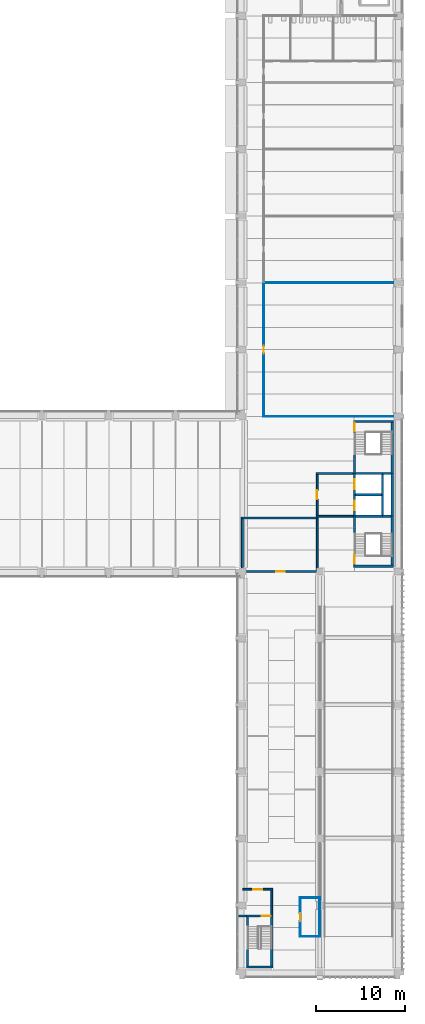
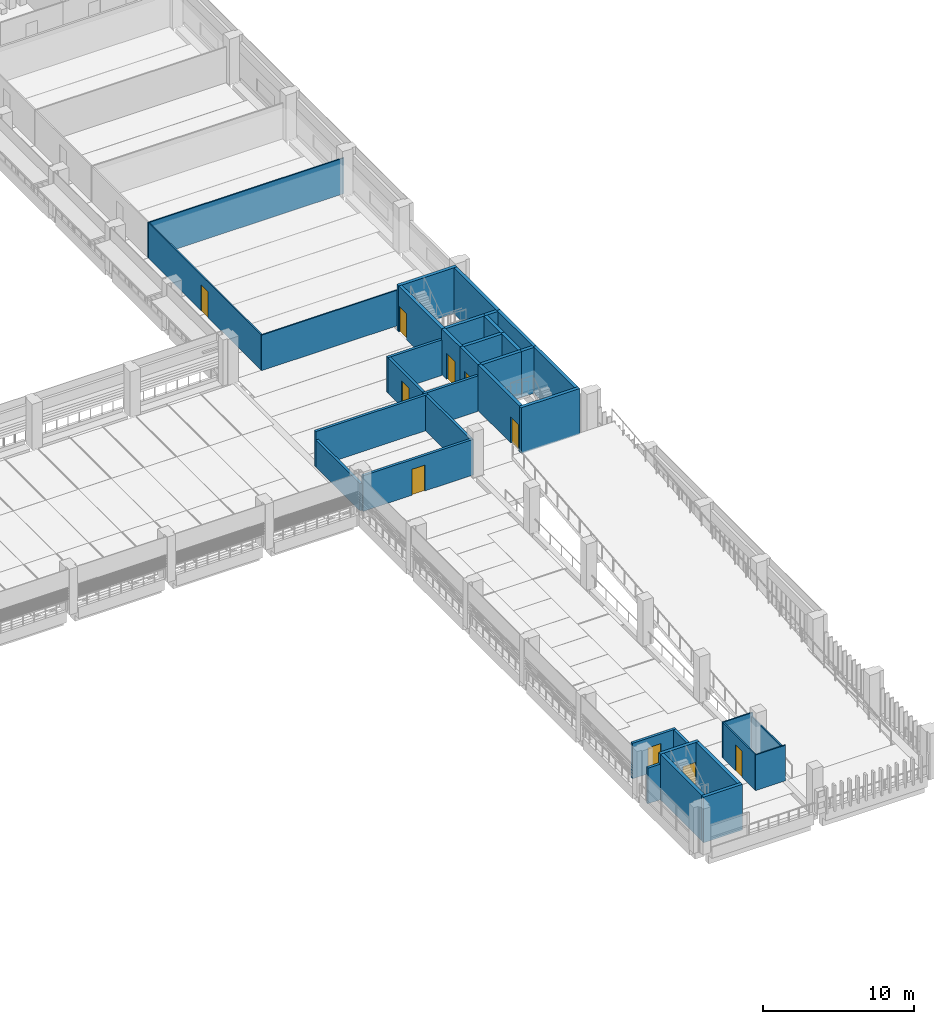
# One storey, part 37 of 61: 37 walls, 10 doors, 10 openings.
"""IFC4 building model written with IfcOpenShell, lengths in metres."""

from ifc_helpers import new_model, si_unit, direction, frame, frame_2d, origin, place, context, subcontext, project, spatial, rectangle, extrude, material, layer, layer_set, type_object, element, fill, save


model = new_model("IFC4")

# Units and contexts
model_context = context("Model", 3, precision=1e-05, world=origin(), true_north=direction((0.0, 1.0)))
body_context = subcontext(model_context, "Body", "Model", "MODEL_VIEW")
ifc_project = project(units=[si_unit("LENGTHUNIT", "METRE"), si_unit("AREAUNIT", "SQUARE_METRE"), si_unit("VOLUMEUNIT", "CUBIC_METRE"), si_unit("PLANEANGLEUNIT", "RADIAN"), si_unit("MASSUNIT", "GRAM", prefix="KILO")], contexts=[model_context])

# Site, building, storey
site_placement = place(None, origin())
site = spatial("IfcSite", under=ifc_project, at=site_placement, CompositionType="ELEMENT")
building_placement = place(site_placement, origin())
building = spatial("IfcBuilding", under=site, at=building_placement, Name="Cour d'Honneur Mobility Palace", CompositionType="ELEMENT")
storey_placement = place(building_placement, frame((0.0, 0.0, 11.89990234375)))
storey = spatial("IfcBuildingStorey", under=building, at=storey_placement, Name="L03", CompositionType="ELEMENT", Elevation=11.89990234375)

# Wall
ifc_material_1 = material(Name="Concrete C50", Category="concrete")
ifc_layer_1 = layer(ifc_material_1, 0.25)
ifc_layer_set_1 = layer_set([ifc_layer_1], Name="Concrete C50")
wall_type_1 = type_object("IfcWallType", Name="Lift shaft wall 250", PredefinedType="SHEAR", material=ifc_layer_set_1)
wall_1_placement = place(storey_placement, frame((157.625, 53.60009765625, 0.0), z_axis=(0.0, 0.0, 1.0), x_axis=(1.0, 0.0, 0.0)))
element("IfcWall", 1, at=wall_1_placement, inside=storey, type_object=wall_type_1, Name="Lift shaft wall WL-CE4 L03", PredefinedType="SHEAR", context=body_context, shape_type="SweptSolid", body=[
    extrude(rectangle(XDim=2.89990234375, YDim=0.25, at=frame_2d((1.449951171875, 0.0))), origin(), (0.0, 0.0, 1.0), 3.7001953125),
])

# Wall, opening, door
wall_2_placement = place(storey_placement, frame((157.5, 51.199951171875, 0.0), z_axis=(0.0, 0.0, 1.0), x_axis=(0.0, 1.0, 0.0)))
wall_2 = element("IfcWall", 2, at=wall_2_placement, inside=storey, type_object=wall_type_1, Name="Lift shaft wall WL-CE9 L03", PredefinedType="SHEAR", context=body_context, shape_type="SweptSolid", body=[
    extrude(rectangle(XDim=2.400146484375, YDim=0.25, at=frame_2d((1.2001953125, 0.0))), origin(), (0.0, 0.0, 1.0), 3.7001953125),
])
opening_1_placement = place(wall_2_placement, frame((0.64990234375, 0.0, 0.0)))
opening_1 = element("IfcOpeningElement", 3, at=opening_1_placement, cuts=wall_2, Name="Opening LD24", PredefinedType="OPENING", context=body_context, shape_type="SweptSolid", body=[
    extrude(rectangle(XDim=1.10009765625, YDim=2.10009765625, at=frame_2d((0.550048828125, 1.050048828125))), frame((0.0, 0.135009765625, 0.0), z_axis=(0.0, -1.0, 0.0), x_axis=(1.0, 0.0, 0.0)), (0.0, 0.0, 1.0), 0.27001953125),
])
ifc_material_2 = material(Name="Stainless steel", Category="steel")
door_type_1 = type_object("IfcDoorType", Name="Landing door 1100 x 2100", OperationType="SLIDING_TO_LEFT", PredefinedType="DOOR", material=ifc_material_2)
door_1_placement = place(opening_1_placement, origin())
door_1 = element("IfcDoor", 4, at=door_1_placement, inside=storey, type_object=door_type_1, Name="Landing door LF-CE1 L03", OperationType="SLIDING_TO_LEFT", OverallHeight=2.10009765625, OverallWidth=1.10009765625, PredefinedType="DOOR", context=body_context, shape_type="SweptSolid", body=[
    extrude(rectangle(XDim=1.10009765625, YDim=2.10009765625, at=frame_2d((0.550048828125, 1.050048828125))), frame((0.0, 0.02490234375, 0.0), z_axis=(0.0, -1.0, 0.0), x_axis=(1.0, 0.0, 0.0)), (0.0, 0.0, 1.0), 0.050048828125),
])
fill(opening_1, door_1)

wall_3_placement = place(storey_placement, frame((157.5, 53.60009765625, 0.0), z_axis=(0.0, 0.0, 1.0), x_axis=(0.0, 1.0, 0.0)))
wall_3 = element("IfcWall", 5, at=wall_3_placement, inside=storey, type_object=wall_type_1, Name="Lift shaft wall WL-CE10 L03", PredefinedType="SHEAR", context=body_context, shape_type="SweptSolid", body=[
    extrude(rectangle(XDim=2.39990234375, YDim=0.25, at=frame_2d((1.199951171875, 0.0))), origin(), (0.0, 0.0, 1.0), 3.7001953125),
])
opening_2_placement = place(wall_3_placement, frame((0.64990234375, 0.0, 0.0)))
opening_2 = element("IfcOpeningElement", 6, at=opening_2_placement, cuts=wall_3, Name="Opening LD34", PredefinedType="OPENING", context=body_context, shape_type="SweptSolid", body=[
    extrude(rectangle(XDim=1.10009765625, YDim=2.10009765625, at=frame_2d((0.550048828125, 1.050048828125))), frame((0.0, 0.135009765625, 0.0), z_axis=(0.0, -1.0, 0.0), x_axis=(1.0, 0.0, 0.0)), (0.0, 0.0, 1.0), 0.27001953125),
])
door_2_placement = place(opening_2_placement, origin())
door_2 = element("IfcDoor", 7, at=door_2_placement, inside=storey, type_object=door_type_1, Name="Landing door LF-CE2 L03", OperationType="SLIDING_TO_LEFT", OverallHeight=2.10009765625, OverallWidth=1.10009765625, PredefinedType="DOOR", context=body_context, shape_type="SweptSolid", body=[
    extrude(rectangle(XDim=1.10009765625, YDim=2.10009765625, at=frame_2d((0.550048828125, 1.050048828125))), frame((0.0, 0.02490234375, 0.0), z_axis=(0.0, -1.0, 0.0), x_axis=(1.0, 0.0, 0.0)), (0.0, 0.0, 1.0), 0.050048828125),
])
fill(opening_2, door_2)

# Walls
wall_4_placement = place(storey_placement, frame((160.64990234375, 51.324951171875, 0.0), z_axis=(0.0, 0.0, 1.0), x_axis=(0.0, 1.0, 0.0)))
element("IfcWall", 8, at=wall_4_placement, inside=storey, type_object=wall_type_1, Name="Lift shaft wall WL-CE12 L03", PredefinedType="SHEAR", context=body_context, shape_type="SweptSolid", body=[
    extrude(rectangle(XDim=2.275146484375, YDim=0.25, at=frame_2d((1.1376953125, 0.0))), origin(), (0.0, 0.0, 1.0), 3.7001953125),
])
wall_5_placement = place(storey_placement, frame((160.64990234375, 53.60009765625, 0.0), z_axis=(0.0, 0.0, 1.0), x_axis=(0.0, 1.0, 0.0)))
element("IfcWall", 9, at=wall_5_placement, inside=storey, type_object=wall_type_1, Name="Lift shaft wall WL-CE13 L03", PredefinedType="SHEAR", context=body_context, shape_type="SweptSolid", body=[
    extrude(rectangle(XDim=2.27490234375, YDim=0.25, at=frame_2d((1.137451171875, 0.0))), origin(), (0.0, 0.0, 1.0), 3.7001953125),
])
ifc_material_3 = material(Name="Gypsum plasterboard")
ifc_layer_2 = layer(ifc_material_3, 0.10009765625)
ifc_layer_set_2 = layer_set([ifc_layer_2], Name="Gypsum plasterboard")
wall_type_2 = type_object("IfcWallType", Name="Partition 100", PredefinedType="PARTITIONING", material=ifc_layer_set_2)
wall_6_placement = place(storey_placement, frame((151.35009765625, 4.0, 0.0), z_axis=(0.0, 0.0, 1.0), x_axis=(1.0, 0.0, 0.0)))
element("IfcWall", 10, at=wall_6_placement, inside=storey, type_object=wall_type_2, Name="Partition 003", PredefinedType="PARTITIONING", context=body_context, shape_type="SweptSolid", body=[
    extrude(rectangle(XDim=2.2998046875, YDim=0.10009765625, at=frame_2d((1.14990234375, 0.0))), origin(), (0.0, 0.0, 1.0), 2.880126953125),
])

# Wall, opening, door
wall_7_placement = place(storey_placement, frame((151.39990234375, 8.300048828125, 0.0), z_axis=(0.0, 0.0, 1.0), x_axis=(0.0, -1.0, 0.0)))
wall_7 = element("IfcWall", 11, at=wall_7_placement, inside=storey, type_object=wall_type_2, Name="Partition 010", PredefinedType="PARTITIONING", context=body_context, shape_type="SweptSolid", body=[
    extrude(rectangle(XDim=4.25, YDim=0.10009765625, at=frame_2d((2.125, 0.0))), origin(), (0.0, 0.0, 1.0), 2.880126953125),
])
opening_3_placement = place(wall_7_placement, frame((1.675048828125, 0.0, 0.0)))
opening_3 = element("IfcOpeningElement", 12, at=opening_3_placement, cuts=wall_7, Name="Opening D0310", PredefinedType="OPENING", context=body_context, shape_type="SweptSolid", body=[
    extrude(rectangle(XDim=0.89990234375, YDim=2.10009765625, at=frame_2d((0.449951171875, 1.050048828125))), frame((0.0, 0.06005859375, 0.0), z_axis=(0.0, -1.0, 0.0), x_axis=(1.0, 0.0, 0.0)), (0.0, 0.0, 1.0), 0.1201171875),
])
ifc_material_4 = material(Name="Solid timber", Category="wood")
door_type_2 = type_object("IfcDoorType", Name="Single door 900 x 2100", OperationType="SINGLE_SWING_LEFT", PredefinedType="DOOR", material=ifc_material_4)
door_3_placement = place(opening_3_placement, origin())
door_3 = element("IfcDoor", 13, at=door_3_placement, inside=storey, type_object=door_type_2, Name="Door Attendant Room East", OperationType="SINGLE_SWING_RIGHT", OverallHeight=2.10009765625, OverallWidth=0.89990234375, PredefinedType="DOOR", context=body_context, shape_type="SweptSolid", body=[
    extrude(rectangle(XDim=0.89990234375, YDim=2.10009765625, at=frame_2d((0.449951171875, 1.050048828125))), frame((0.0, 0.02490234375, 0.0), z_axis=(0.0, -1.0, 0.0), x_axis=(1.0, 0.0, 0.0)), (0.0, 0.0, 1.0), 0.050048828125),
])
fill(opening_3, door_3)

# Walls
wall_8_placement = place(storey_placement, frame((153.64990234375, 8.35009765625, 0.0), z_axis=(0.0, 0.0, 1.0), x_axis=(-1.0, 0.0, 0.0)))
element("IfcWall", 14, at=wall_8_placement, inside=storey, type_object=wall_type_2, Name="Partition 011", PredefinedType="PARTITIONING", context=body_context, shape_type="SweptSolid", body=[
    extrude(rectangle(XDim=2.2998046875, YDim=0.10009765625, at=frame_2d((1.14990234375, 0.0))), origin(), (0.0, 0.0, 1.0), 2.880126953125),
])
wall_9_placement = place(storey_placement, frame((147.25, 62.39990234375, 0.0), z_axis=(0.0, 0.0, 1.0), x_axis=(1.0, 0.0, 0.0)))
element("IfcWall", 15, at=wall_9_placement, inside=storey, type_object=wall_type_2, Name="Partition 043", PredefinedType="PARTITIONING", context=body_context, shape_type="SweptSolid", body=[
    extrude(rectangle(XDim=14.989990234375, YDim=0.10009765625, at=frame_2d((7.4951171875, 0.0))), origin(), (0.0, 0.0, 1.0), 2.880126953125),
])

# Wall, opening, door
wall_10_placement = place(storey_placement, frame((147.300048828125, 77.35009765625, 0.0), z_axis=(0.0, 0.0, 1.0), x_axis=(0.0, -1.0, 0.0)))
wall_10 = element("IfcWall", 16, at=wall_10_placement, inside=storey, type_object=wall_type_2, Name="Partition 044", PredefinedType="PARTITIONING", context=body_context, shape_type="SweptSolid", body=[
    extrude(rectangle(XDim=14.900146484375, YDim=0.10009765625, at=frame_2d((7.4501953125, 0.0))), origin(), (0.0, 0.0, 1.0), 2.880126953125),
])
opening_4_placement = place(wall_10_placement, frame((7.0, 0.0, 0.0)))
opening_4 = element("IfcOpeningElement", 17, at=opening_4_placement, cuts=wall_10, Name="Opening D0320", PredefinedType="OPENING", context=body_context, shape_type="SweptSolid", body=[
    extrude(rectangle(XDim=0.89990234375, YDim=2.10009765625, at=frame_2d((0.449951171875, 1.050048828125))), frame((0.0, 0.06005859375, 0.0), z_axis=(0.0, -1.0, 0.0), x_axis=(1.0, 0.0, 0.0)), (0.0, 0.0, 1.0), 0.1201171875),
])
door_4_placement = place(opening_4_placement, origin())
door_4 = element("IfcDoor", 18, at=door_4_placement, inside=storey, type_object=door_type_2, Name="Door Driving Simulator Room", OperationType="SINGLE_SWING_LEFT", OverallHeight=2.10009765625, OverallWidth=0.89990234375, PredefinedType="DOOR", context=body_context, shape_type="SweptSolid", body=[
    extrude(rectangle(XDim=0.89990234375, YDim=2.10009765625, at=frame_2d((0.449951171875, 1.050048828125))), frame((0.0, 0.02490234375, 0.0), z_axis=(0.0, -1.0, 0.0), x_axis=(1.0, 0.0, 0.0)), (0.0, 0.0, 1.0), 0.050048828125),
])
fill(opening_4, door_4)

# Walls
wall_11_placement = place(storey_placement, frame((162.239990234375, 77.39990234375, 0.0), z_axis=(0.0, 0.0, 1.0), x_axis=(-1.0, 0.0, 0.0)))
element("IfcWall", 19, at=wall_11_placement, inside=storey, type_object=wall_type_2, Name="Partition 045", PredefinedType="PARTITIONING", context=body_context, shape_type="SweptSolid", body=[
    extrude(rectangle(XDim=14.989990234375, YDim=0.10009765625, at=frame_2d((7.4951171875, 0.0))), origin(), (0.0, 0.0, 1.0), 2.880126953125),
])
ifc_material_5 = material(Name="Gypsum plasterboard")
ifc_layer_3 = layer(ifc_material_5, 0.10009765625)
ifc_layer_set_3 = layer_set([ifc_layer_3], Name="Gypsum plasterboard")
wall_type_3 = type_object("IfcWallType", Name="Partition 100 under beam 1100", PredefinedType="PARTITIONING", material=ifc_layer_set_3)
wall_12_placement = place(storey_placement, frame((153.60009765625, 4.050048828125, 0.0), z_axis=(0.0, 0.0, 1.0), x_axis=(0.0, 1.0, 0.0)))
element("IfcWall", 20, at=wall_12_placement, inside=storey, type_object=wall_type_3, Name="Partition 004", PredefinedType="PARTITIONING", context=body_context, shape_type="SweptSolid", body=[
    extrude(rectangle(XDim=4.25, YDim=0.10009765625, at=frame_2d((2.125, 0.0))), origin(), (0.0, 0.0, 1.0), 2.60009765625),
])
ifc_material_6 = material(Name="Gypsum plasterboard")
ifc_layer_4 = layer(ifc_material_6, 0.199951171875)
ifc_layer_set_4 = layer_set([ifc_layer_4], Name="Gypsum plasterboard")
wall_type_4 = type_object("IfcWallType", Name="Partition 200 rated EI 120", PredefinedType="PARTITIONING", material=ifc_layer_set_4)
wall_13_placement = place(storey_placement, frame((144.39990234375, 6.300048828125, 0.0), z_axis=(0.0, 0.0, 1.0), x_axis=(1.0, 0.0, 0.0)))
element("IfcWall", 21, at=wall_13_placement, inside=storey, type_object=wall_type_4, Name="Partition 006", PredefinedType="PARTITIONING", context=body_context, shape_type="SweptSolid", body=[
    extrude(rectangle(XDim=0.9501953125, YDim=0.199951171875, at=frame_2d((0.47509765625, 0.0))), origin(), (0.0, 0.0, 1.0), 2.880126953125),
])
wall_14_placement = place(storey_placement, frame((148.199951171875, 6.47509765625, 0.0), z_axis=(0.0, 0.0, 1.0), x_axis=(0.0, 1.0, 0.0)))
element("IfcWall", 22, at=wall_14_placement, inside=storey, type_object=wall_type_4, Name="Partition 007", PredefinedType="PARTITIONING", context=body_context, shape_type="SweptSolid", body=[
    extrude(rectangle(XDim=2.724853515625, YDim=0.199951171875, at=frame_2d((1.3623046875, 0.0))), origin(), (0.0, 0.0, 1.0), 2.880126953125),
])

# Wall, opening, door
wall_15_placement = place(storey_placement, frame((148.300048828125, 9.300048828125, 0.0), z_axis=(0.0, 0.0, 1.0), x_axis=(-1.0, 0.0, 0.0)))
wall_15 = element("IfcWall", 23, at=wall_15_placement, inside=storey, type_object=wall_type_4, Name="Partition 014", PredefinedType="PARTITIONING", context=body_context, shape_type="SweptSolid", body=[
    extrude(rectangle(XDim=3.340087890625, YDim=0.199951171875, at=frame_2d((1.669921875, 0.0))), origin(), (0.0, 0.0, 1.0), 2.880126953125),
])
opening_5_placement = place(wall_15_placement, frame((1.169921875, 0.0, 0.0)))
opening_5 = element("IfcOpeningElement", 24, at=opening_5_placement, cuts=wall_15, Name="Opening D0308", PredefinedType="OPENING", context=body_context, shape_type="SweptSolid", body=[
    extrude(rectangle(XDim=1.0, YDim=2.10009765625, at=frame_2d((0.5, 1.050048828125))), frame((0.0, 0.10986328125, 0.0), z_axis=(0.0, -1.0, 0.0), x_axis=(1.0, 0.0, 0.0)), (0.0, 0.0, 1.0), 0.219970703125),
])
ifc_material_7 = material(Name="Galvanised steel", Category="steel")
door_type_3 = type_object("IfcDoorType", Name="Fire door FD120 1000 x 2100", OperationType="SINGLE_SWING_LEFT", PredefinedType="DOOR", material=ifc_material_7)
door_5_placement = place(opening_5_placement, origin())
door_5 = element("IfcDoor", 25, at=door_5_placement, inside=storey, type_object=door_type_3, Name="Door Stair Lobby RE", OperationType="SINGLE_SWING_RIGHT", OverallHeight=2.10009765625, OverallWidth=1.0, PredefinedType="DOOR", context=body_context, shape_type="SweptSolid", body=[
    extrude(rectangle(XDim=1.0, YDim=2.10009765625, at=frame_2d((0.5, 1.050048828125))), frame((0.0, 0.02490234375, 0.0), z_axis=(0.0, -1.0, 0.0), x_axis=(1.0, 0.0, 0.0)), (0.0, 0.0, 1.0), 0.050048828125),
])
fill(opening_5, door_5)

wall_16_placement = place(storey_placement, frame((144.9599609375, 45.0, 0.0), z_axis=(0.0, 0.0, 1.0), x_axis=(1.0, 0.0, 0.0)))
wall_16 = element("IfcWall", 26, at=wall_16_placement, inside=storey, type_object=wall_type_4, Name="Partition 016", PredefinedType="PARTITIONING", context=body_context, shape_type="SweptSolid", body=[
    extrude(rectangle(XDim=8.43994140625, YDim=0.199951171875, at=frame_2d((4.219970703125, 0.0))), origin(), (0.0, 0.0, 1.0), 2.880126953125),
])
opening_6_placement = place(wall_16_placement, frame((3.719970703125, 0.0, 0.0)))
opening_6 = element("IfcOpeningElement", 27, at=opening_6_placement, cuts=wall_16, Name="Opening D0312", PredefinedType="OPENING", context=body_context, shape_type="SweptSolid", body=[
    extrude(rectangle(XDim=1.0, YDim=2.10009765625, at=frame_2d((0.5, 1.050048828125))), frame((0.0, 0.10986328125, 0.0), z_axis=(0.0, -1.0, 0.0), x_axis=(1.0, 0.0, 0.0)), (0.0, 0.0, 1.0), 0.219970703125),
])
door_6_placement = place(opening_6_placement, origin())
door_6 = element("IfcDoor", 28, at=door_6_placement, inside=storey, type_object=door_type_3, Name="Door EV Switch Room East", OperationType="SINGLE_SWING_LEFT", OverallHeight=2.10009765625, OverallWidth=1.0, PredefinedType="DOOR", context=body_context, shape_type="SweptSolid", body=[
    extrude(rectangle(XDim=1.0, YDim=2.10009765625, at=frame_2d((0.5, 1.050048828125))), frame((0.0, 0.02490234375, 0.0), z_axis=(0.0, -1.0, 0.0), x_axis=(1.0, 0.0, 0.0)), (0.0, 0.0, 1.0), 0.050048828125),
])
fill(opening_6, door_6)

# Walls
wall_17_placement = place(storey_placement, frame((153.300048828125, 45.10009765625, 0.0), z_axis=(0.0, 0.0, 1.0), x_axis=(0.0, 1.0, 0.0)))
element("IfcWall", 29, at=wall_17_placement, inside=storey, type_object=wall_type_4, Name="Partition 017", PredefinedType="PARTITIONING", context=body_context, shape_type="SweptSolid", body=[
    extrude(rectangle(XDim=5.7998046875, YDim=0.199951171875, at=frame_2d((2.89990234375, 0.0))), origin(), (0.0, 0.0, 1.0), 2.880126953125),
])
wall_18_placement = place(storey_placement, frame((153.39990234375, 51.0, 0.0), z_axis=(0.0, 0.0, 1.0), x_axis=(-1.0, 0.0, 0.0)))
element("IfcWall", 30, at=wall_18_placement, inside=storey, type_object=wall_type_4, Name="Partition 027", PredefinedType="PARTITIONING", context=body_context, shape_type="SweptSolid", body=[
    extrude(rectangle(XDim=8.599853515625, YDim=0.199951171875, at=frame_2d((4.2998046875, 0.0))), origin(), (0.0, 0.0, 1.0), 2.880126953125),
])
wall_19_placement = place(storey_placement, frame((153.199951171875, 51.199951171875, 0.0), z_axis=(0.0, 0.0, 1.0), x_axis=(1.0, 0.0, 0.0)))
element("IfcWall", 31, at=wall_19_placement, inside=storey, type_object=wall_type_4, Name="Partition 030", PredefinedType="PARTITIONING", context=body_context, shape_type="SweptSolid", body=[
    extrude(rectangle(XDim=4.125, YDim=0.199951171875, at=frame_2d((2.0625, 0.0))), origin(), (0.0, 0.0, 1.0), 2.880126953125),
])

# Wall, opening, door
wall_20_placement = place(storey_placement, frame((153.300048828125, 55.89990234375, 0.0), z_axis=(0.0, 0.0, 1.0), x_axis=(0.0, -1.0, 0.0)))
wall_20 = element("IfcWall", 32, at=wall_20_placement, inside=storey, type_object=wall_type_4, Name="Partition 038", PredefinedType="PARTITIONING", context=body_context, shape_type="SweptSolid", body=[
    extrude(rectangle(XDim=4.599853515625, YDim=0.199951171875, at=frame_2d((2.2998046875, 0.0))), origin(), (0.0, 0.0, 1.0), 2.880126953125),
])
opening_7_placement = place(wall_20_placement, frame((1.800048828125, 0.0, 0.0)))
opening_7 = element("IfcOpeningElement", 33, at=opening_7_placement, cuts=wall_20, Name="Opening D0329", PredefinedType="OPENING", context=body_context, shape_type="SweptSolid", body=[
    extrude(rectangle(XDim=1.0, YDim=2.10009765625, at=frame_2d((0.5, 1.050048828125))), frame((0.0, 0.10986328125, 0.0), z_axis=(0.0, -1.0, 0.0), x_axis=(1.0, 0.0, 0.0)), (0.0, 0.0, 1.0), 0.219970703125),
])
door_7_placement = place(opening_7_placement, origin())
door_7 = element("IfcDoor", 34, at=door_7_placement, inside=storey, type_object=door_type_3, Name="Door Firefighting Lobby CE", OperationType="SINGLE_SWING_LEFT", OverallHeight=2.10009765625, OverallWidth=1.0, PredefinedType="DOOR", context=body_context, shape_type="SweptSolid", body=[
    extrude(rectangle(XDim=1.0, YDim=2.10009765625, at=frame_2d((0.5, 1.050048828125))), frame((0.0, 0.02490234375, 0.0), z_axis=(0.0, -1.0, 0.0), x_axis=(1.0, 0.0, 0.0)), (0.0, 0.0, 1.0), 0.050048828125),
])
fill(opening_7, door_7)

# Walls
wall_21_placement = place(storey_placement, frame((157.324951171875, 56.0, 0.0), z_axis=(0.0, 0.0, 1.0), x_axis=(-1.0, 0.0, 0.0)))
element("IfcWall", 35, at=wall_21_placement, inside=storey, type_object=wall_type_4, Name="Partition 039", PredefinedType="PARTITIONING", context=body_context, shape_type="SweptSolid", body=[
    extrude(rectangle(XDim=4.125, YDim=0.199951171875, at=frame_2d((2.0625, 0.0))), origin(), (0.0, 0.0, 1.0), 2.880126953125),
])
ifc_material_8 = material(Name="Gypsum plasterboard")
ifc_layer_5 = layer(ifc_material_8, 0.199951171875)
ifc_layer_set_5 = layer_set([ifc_layer_5], Name="Gypsum plasterboard")
wall_type_5 = type_object("IfcWallType", Name="Partition 200 rated EI 120 under beam 1500", PredefinedType="PARTITIONING", material=ifc_layer_set_5)
wall_22_placement = place(storey_placement, frame((144.89990234375, 50.89990234375, 0.0), z_axis=(0.0, 0.0, 1.0), x_axis=(0.0, -1.0, 0.0)))
element("IfcWall", 36, at=wall_22_placement, inside=storey, type_object=wall_type_5, Name="Partition 026", PredefinedType="PARTITIONING", context=body_context, shape_type="SweptSolid", body=[
    extrude(rectangle(XDim=5.83984375, YDim=0.199951171875, at=frame_2d((2.919921875, 0.0))), origin(), (0.0, 0.0, 1.0), 2.2001953125),
])
ifc_material_9 = material(Name="Concrete C50", Category="concrete")
ifc_layer_6 = layer(ifc_material_9, 0.25)
ifc_layer_set_6 = layer_set([ifc_layer_6], Name="Concrete C50")
wall_type_6 = type_object("IfcWallType", Name="Shaft wall 250", PredefinedType="SHEAR", material=ifc_layer_set_6)
wall_23_placement = place(storey_placement, frame((161.72509765625, 51.199951171875, 0.0), z_axis=(0.0, 0.0, 1.0), x_axis=(0.0, 1.0, 0.0)))
element("IfcWall", 37, at=wall_23_placement, inside=storey, type_object=wall_type_6, Name="Shaft wall WR-CE15 L03", PredefinedType="SHEAR", context=body_context, shape_type="SweptSolid", body=[
    extrude(rectangle(XDim=4.800048828125, YDim=0.25, at=frame_2d((2.39990234375, 0.0))), origin(), (0.0, 0.0, 1.0), 3.7001953125),
])
ifc_material_10 = material(Name="Concrete C50", Category="concrete")
ifc_layer_7 = layer(ifc_material_10, 0.25)
ifc_layer_set_7 = layer_set([ifc_layer_7], Name="Concrete C50")
wall_type_7 = type_object("IfcWallType", Name="Stair wall 250", PredefinedType="SHEAR", material=ifc_layer_set_7)
wall_24_placement = place(storey_placement, frame((157.375, 45.574951171875, 0.0), z_axis=(0.0, 0.0, 1.0), x_axis=(1.0, 0.0, 0.0)))
element("IfcWall", 38, at=wall_24_placement, inside=storey, type_object=wall_type_7, Name="Stair wall WS-CE1 L03", PredefinedType="SHEAR", context=body_context, shape_type="SweptSolid", body=[
    extrude(rectangle(XDim=4.47509765625, YDim=0.25, at=frame_2d((2.237548828125, 0.0))), origin(), (0.0, 0.0, 1.0), 3.7001953125),
])
wall_25_placement = place(storey_placement, frame((157.625, 51.199951171875, 0.0), z_axis=(0.0, 0.0, 1.0), x_axis=(1.0, 0.0, 0.0)))
element("IfcWall", 39, at=wall_25_placement, inside=storey, type_object=wall_type_7, Name="Stair wall WS-CE2 L03", PredefinedType="SHEAR", context=body_context, shape_type="SweptSolid", body=[
    extrude(rectangle(XDim=3.02490234375, YDim=0.25, at=frame_2d((1.512451171875, 0.0))), origin(), (0.0, 0.0, 1.0), 3.7001953125),
])
wall_26_placement = place(storey_placement, frame((160.64990234375, 51.199951171875, 0.0), z_axis=(0.0, 0.0, 1.0), x_axis=(1.0, 0.0, 0.0)))
element("IfcWall", 40, at=wall_26_placement, inside=storey, type_object=wall_type_7, Name="Stair wall WS-CE3 L03", PredefinedType="SHEAR", context=body_context, shape_type="SweptSolid", body=[
    extrude(rectangle(XDim=0.9501953125, YDim=0.25, at=frame_2d((0.47509765625, 0.0))), origin(), (0.0, 0.0, 1.0), 3.7001953125),
])
wall_27_placement = place(storey_placement, frame((157.625, 56.0, 0.0), z_axis=(0.0, 0.0, 1.0), x_axis=(1.0, 0.0, 0.0)))
element("IfcWall", 41, at=wall_27_placement, inside=storey, type_object=wall_type_7, Name="Stair wall WS-CE5 L03", PredefinedType="SHEAR", context=body_context, shape_type="SweptSolid", body=[
    extrude(rectangle(XDim=3.02490234375, YDim=0.25, at=frame_2d((1.512451171875, 0.0))), origin(), (0.0, 0.0, 1.0), 3.7001953125),
])
wall_28_placement = place(storey_placement, frame((160.64990234375, 56.0, 0.0), z_axis=(0.0, 0.0, 1.0), x_axis=(1.0, 0.0, 0.0)))
element("IfcWall", 42, at=wall_28_placement, inside=storey, type_object=wall_type_7, Name="Stair wall WS-CE6 L03", PredefinedType="SHEAR", context=body_context, shape_type="SweptSolid", body=[
    extrude(rectangle(XDim=0.9501953125, YDim=0.25, at=frame_2d((0.47509765625, 0.0))), origin(), (0.0, 0.0, 1.0), 3.7001953125),
])
wall_29_placement = place(storey_placement, frame((157.375, 61.824951171875, 0.0), z_axis=(0.0, 0.0, 1.0), x_axis=(1.0, 0.0, 0.0)))
element("IfcWall", 43, at=wall_29_placement, inside=storey, type_object=wall_type_7, Name="Stair wall WS-CE7 L03", PredefinedType="SHEAR", context=body_context, shape_type="SweptSolid", body=[
    extrude(rectangle(XDim=4.47509765625, YDim=0.25, at=frame_2d((2.237548828125, 0.0))), origin(), (0.0, 0.0, 1.0), 3.7001953125),
])

# Wall, opening, door
wall_30_placement = place(storey_placement, frame((157.5, 45.699951171875, 0.0), z_axis=(0.0, 0.0, 1.0), x_axis=(0.0, 1.0, 0.0)))
wall_30 = element("IfcWall", 44, at=wall_30_placement, inside=storey, type_object=wall_type_7, Name="Stair wall WS-CE8 L03", PredefinedType="SHEAR", context=body_context, shape_type="SweptSolid", body=[
    extrude(rectangle(XDim=5.5, YDim=0.25, at=frame_2d((2.75, 0.0))), origin(), (0.0, 0.0, 1.0), 3.7001953125),
])
opening_8_placement = place(wall_30_placement, frame((0.14990234375, 0.0, 0.0)))
opening_8 = element("IfcOpeningElement", 45, at=opening_8_placement, cuts=wall_30, Name="Opening S142", PredefinedType="OPENING", context=body_context, shape_type="SweptSolid", body=[
    extrude(rectangle(XDim=1.0, YDim=2.10009765625, at=frame_2d((0.5, 1.050048828125))), frame((0.0, 0.135009765625, 0.0), z_axis=(0.0, -1.0, 0.0), x_axis=(1.0, 0.0, 0.0)), (0.0, 0.0, 1.0), 0.27001953125),
])
ifc_material_11 = material(Name="Galvanised steel", Category="steel")
door_type_4 = type_object("IfcDoorType", Name="Fire door FD120 stair 1000 x 2100", OperationType="SINGLE_SWING_LEFT", PredefinedType="DOOR", material=ifc_material_11)
door_8_placement = place(opening_8_placement, origin())
door_8 = element("IfcDoor", 46, at=door_8_placement, inside=storey, type_object=door_type_4, Name="Stair door ST-CE1 L03", OperationType="SINGLE_SWING_LEFT", OverallHeight=2.10009765625, OverallWidth=1.0, PredefinedType="DOOR", context=body_context, shape_type="SweptSolid", body=[
    extrude(rectangle(XDim=1.0, YDim=2.10009765625, at=frame_2d((0.5, 1.050048828125))), frame((0.0, 0.02490234375, 0.0), z_axis=(0.0, -1.0, 0.0), x_axis=(1.0, 0.0, 0.0)), (0.0, 0.0, 1.0), 0.050048828125),
])
fill(opening_8, door_8)

wall_31_placement = place(storey_placement, frame((157.5, 56.0, 0.0), z_axis=(0.0, 0.0, 1.0), x_axis=(0.0, 1.0, 0.0)))
wall_31 = element("IfcWall", 47, at=wall_31_placement, inside=storey, type_object=wall_type_7, Name="Stair wall WS-CE11 L03", PredefinedType="SHEAR", context=body_context, shape_type="SweptSolid", body=[
    extrude(rectangle(XDim=5.699951171875, YDim=0.25, at=frame_2d((2.85009765625, 0.0))), origin(), (0.0, 0.0, 1.0), 3.7001953125),
])
opening_9_placement = place(wall_31_placement, frame((4.675048828125, 0.0, 0.0)))
opening_9 = element("IfcOpeningElement", 48, at=opening_9_placement, cuts=wall_31, Name="Opening S78", PredefinedType="OPENING", context=body_context, shape_type="SweptSolid", body=[
    extrude(rectangle(XDim=1.0, YDim=2.10009765625, at=frame_2d((0.5, 1.050048828125))), frame((0.0, 0.135009765625, 0.0), z_axis=(0.0, -1.0, 0.0), x_axis=(1.0, 0.0, 0.0)), (0.0, 0.0, 1.0), 0.27001953125),
])
door_9_placement = place(opening_9_placement, origin())
door_9 = element("IfcDoor", 49, at=door_9_placement, inside=storey, type_object=door_type_4, Name="Stair door ST-CE2 L03", OperationType="SINGLE_SWING_RIGHT", OverallHeight=2.10009765625, OverallWidth=1.0, PredefinedType="DOOR", context=body_context, shape_type="SweptSolid", body=[
    extrude(rectangle(XDim=1.0, YDim=2.10009765625, at=frame_2d((0.5, 1.050048828125))), frame((0.0, 0.02490234375, 0.0), z_axis=(0.0, -1.0, 0.0), x_axis=(1.0, 0.0, 0.0)), (0.0, 0.0, 1.0), 0.050048828125),
])
fill(opening_9, door_9)

# Walls
wall_32_placement = place(storey_placement, frame((161.72509765625, 45.699951171875, 0.0), z_axis=(0.0, 0.0, 1.0), x_axis=(0.0, 1.0, 0.0)))
element("IfcWall", 50, at=wall_32_placement, inside=storey, type_object=wall_type_7, Name="Stair wall WS-CE14 L03", PredefinedType="SHEAR", context=body_context, shape_type="SweptSolid", body=[
    extrude(rectangle(XDim=5.5, YDim=0.25, at=frame_2d((2.75, 0.0))), origin(), (0.0, 0.0, 1.0), 3.7001953125),
])
wall_33_placement = place(storey_placement, frame((161.72509765625, 56.0, 0.0), z_axis=(0.0, 0.0, 1.0), x_axis=(0.0, 1.0, 0.0)))
element("IfcWall", 51, at=wall_33_placement, inside=storey, type_object=wall_type_7, Name="Stair wall WS-CE16 L03", PredefinedType="SHEAR", context=body_context, shape_type="SweptSolid", body=[
    extrude(rectangle(XDim=5.699951171875, YDim=0.25, at=frame_2d((2.85009765625, 0.0))), origin(), (0.0, 0.0, 1.0), 3.7001953125),
])
wall_34_placement = place(storey_placement, frame((145.35009765625, 0.574951171875, 0.0), z_axis=(0.0, 0.0, 1.0), x_axis=(1.0, 0.0, 0.0)))
element("IfcWall", 52, at=wall_34_placement, inside=storey, type_object=wall_type_7, Name="Stair wall WS-RE1 L03", PredefinedType="SHEAR", context=body_context, shape_type="SweptSolid", body=[
    extrude(rectangle(XDim=2.974853515625, YDim=0.25, at=frame_2d((1.4873046875, 0.0))), origin(), (0.0, 0.0, 1.0), 3.7001953125),
])

# Wall, opening, door
wall_35_placement = place(storey_placement, frame((145.35009765625, 6.300048828125, 0.0), z_axis=(0.0, 0.0, 1.0), x_axis=(1.0, 0.0, 0.0)))
wall_35 = element("IfcWall", 53, at=wall_35_placement, inside=storey, type_object=wall_type_7, Name="Stair wall WS-RE2 L03", PredefinedType="SHEAR", context=body_context, shape_type="SweptSolid", body=[
    extrude(rectangle(XDim=2.974853515625, YDim=0.25, at=frame_2d((1.4873046875, 0.0))), origin(), (0.0, 0.0, 1.0), 3.7001953125),
])
opening_10_placement = place(wall_35_placement, frame((1.72509765625, 0.0, 0.0)))
opening_10 = element("IfcOpeningElement", 54, at=opening_10_placement, cuts=wall_35, Name="Opening S122", PredefinedType="OPENING", context=body_context, shape_type="SweptSolid", body=[
    extrude(rectangle(XDim=1.0, YDim=2.10009765625, at=frame_2d((0.5, 1.050048828125))), frame((0.0, 0.135009765625, 0.0), z_axis=(0.0, -1.0, 0.0), x_axis=(1.0, 0.0, 0.0)), (0.0, 0.0, 1.0), 0.27001953125),
])
door_10_placement = place(opening_10_placement, origin())
door_10 = element("IfcDoor", 55, at=door_10_placement, inside=storey, type_object=door_type_4, Name="Stair door ST-RE1 L03", OperationType="SINGLE_SWING_RIGHT", OverallHeight=2.10009765625, OverallWidth=1.0, PredefinedType="DOOR", context=body_context, shape_type="SweptSolid", body=[
    extrude(rectangle(XDim=1.0, YDim=2.10009765625, at=frame_2d((0.5, 1.050048828125))), frame((0.0, 0.02490234375, 0.0), z_axis=(0.0, -1.0, 0.0), x_axis=(1.0, 0.0, 0.0)), (0.0, 0.0, 1.0), 0.050048828125),
])
fill(opening_10, door_10)

# Walls
for number, where, z_axis, x_axis, name in (
    (56, (145.47509765625, 0.699951171875, 0.0), (0.0, 0.0, 1.0), (0.0, 1.0, 0.0), "Stair wall WS-RE3 L03"),
    (57, (148.199951171875, 0.699951171875, 0.0), (0.0, 0.0, 1.0), (0.0, 1.0, 0.0), "Stair wall WS-RE4 L03"),
):
    element("IfcWall", number, at=place(storey_placement, frame(where, z_axis=z_axis, x_axis=x_axis)), inside=storey, type_object=wall_type_7, Name=name, PredefinedType="SHEAR", context=body_context, shape_type="SweptSolid", body=[
        extrude(rectangle(XDim=5.47509765625, YDim=0.25, at=frame_2d((2.737548828125, 0.0))), origin(), (0.0, 0.0, 1.0), 3.7001953125),
    ])

save(model, "model.ifc")
